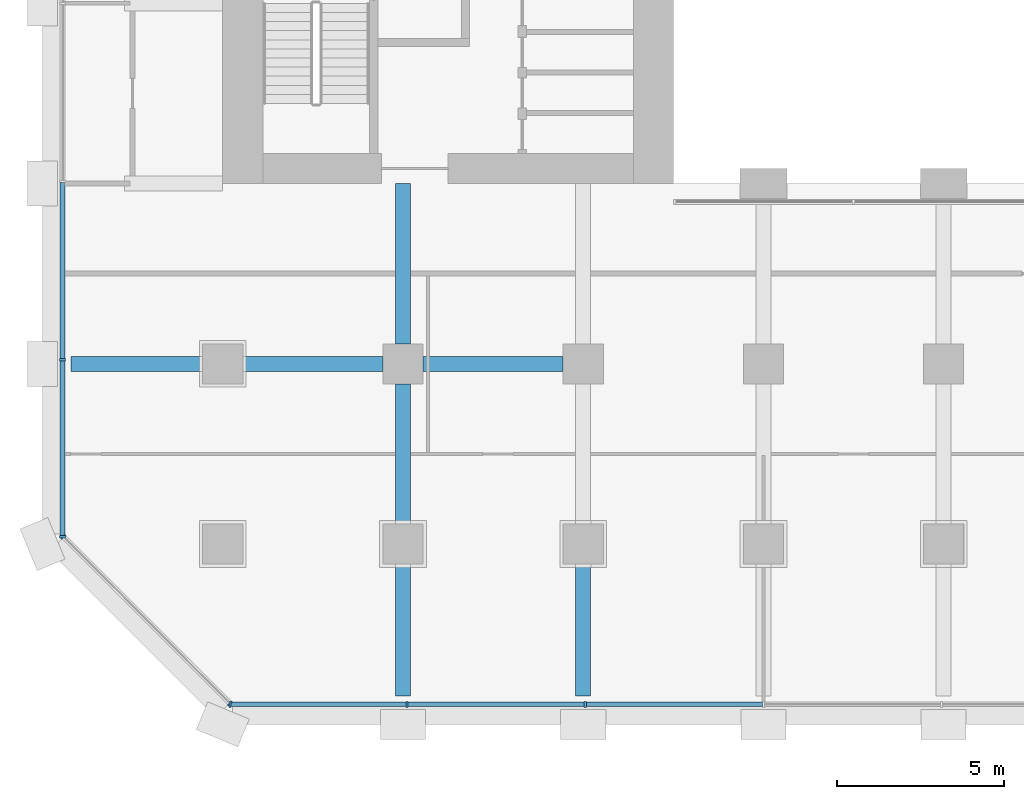
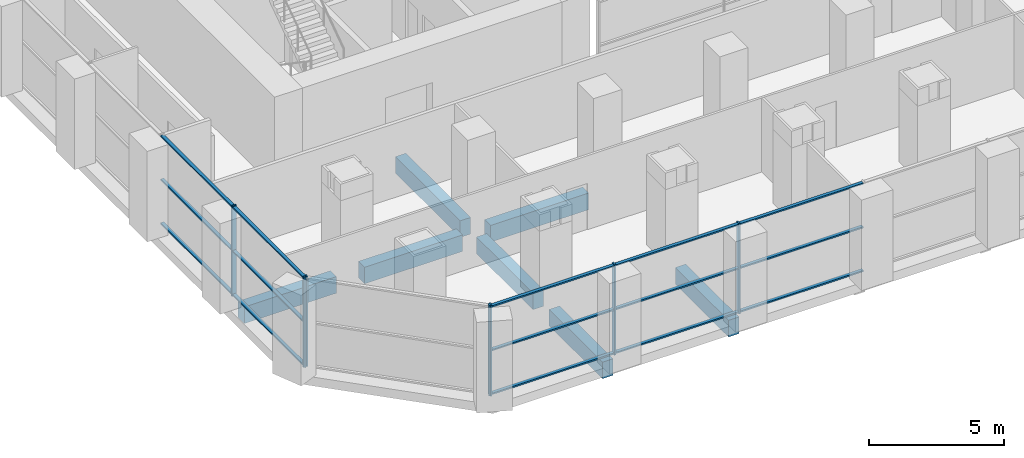
# One storey, part 2 of 23: 22 members, 7 beams, 3 elements without a shape of their own.
"""IFC4 building model written with IfcOpenShell, lengths in metres."""

import ifcopenshell
import ifcopenshell.guid

model = None  # the IFC model being written
_history = None  # IfcOwnerHistory: only IFC2X3 demands one
_inside = {}  # id of a spatial element -> (the spatial element, [elements in it])
_under = {}  # id of a project, library or spatial element -> (it, [spatial elements below it])
_declared = {}  # id of a project -> (the project, [libraries it declares])
_typed = {}  # id of a type object -> (the type object, [elements of that type])
_made_of = {}  # id of a material, layer set ... -> (it, [elements and type objects made of it])


def new_model(schema):
    """Start an empty IFC model of exactly this schema.

    Asked for "IFC4X3", IfcOpenShell would pick the latest addendum, in which some entities
    have other attributes; the version numbers below select the first issue.
    IFC2X3 requires an IfcOwnerHistory on every rooted entity: one is made here for all.
    """
    global model, _history
    if schema == "IFC4X3":
        model = ifcopenshell.file(schema_version=(4, 3, 0, 0))
    else:
        model = ifcopenshell.file(schema=schema)
    _inside.clear()
    _under.clear()
    _declared.clear()
    _typed.clear()
    _made_of.clear()
    _history = None
    if model.schema == "IFC2X3":
        org = make("IfcOrganization", Name="unknown")
        user = make(
            "IfcPersonAndOrganization",
            ThePerson=make("IfcPerson", FamilyName="unknown"),
            TheOrganization=org,
        )
        app = make(
            "IfcApplication",
            ApplicationDeveloper=org,
            Version="unknown",
            ApplicationFullName="unknown",
            ApplicationIdentifier="unknown",
        )
        _history = make(
            "IfcOwnerHistory",
            OwningUser=user,
            OwningApplication=app,
            ChangeAction="ADDED",
            CreationDate=0,
        )
    return model


def make(cls, **values):
    """One entity of the class cls with the attributes given. An attribute that is None is left unset."""
    return model.create_entity(
        cls, **{name: value for name, value in values.items() if value is not None}
    )


def rooted(cls, **values):
    """An entity with a GlobalId (a new one), such as an element, a storey or a relation."""
    return make(cls, GlobalId=ifcopenshell.guid.new(), OwnerHistory=_history, **values)


def si_unit(unit_type, name, prefix=None):
    """IfcSIUnit, for example si_unit("LENGTHUNIT", "METRE", prefix="MILLI")."""
    return make("IfcSIUnit", UnitType=unit_type, Prefix=prefix, Name=name)


def assignment(units):
    """IfcUnitAssignment: the units of a project."""
    return None if units is None else make("IfcUnitAssignment", Units=units)


def point(xyz):
    """IfcCartesianPoint."""
    return None if xyz is None else make("IfcCartesianPoint", Coordinates=xyz)


def direction(xyz):
    """IfcDirection."""
    return None if xyz is None else make("IfcDirection", DirectionRatios=xyz)


def frame(location, z_axis=None, x_axis=None):
    """IfcAxis2Placement3D, a coordinate frame: its origin and axes. An axis left out is left unset."""
    return make(
        "IfcAxis2Placement3D",
        Location=point(location),
        Axis=direction(z_axis),
        RefDirection=direction(x_axis),
    )


def frame_2d(location, x_axis=None):
    """IfcAxis2Placement2D, a coordinate frame in the plane: its origin and x axis."""
    return make(
        "IfcAxis2Placement2D", Location=point(location), RefDirection=direction(x_axis)
    )


def origin():
    """The frame at (0, 0, 0) with its axes left unset."""
    return frame((0.0, 0.0, 0.0))


def origin_2d():
    """The frame at (0, 0) in the plane with its x axis left unset."""
    return frame_2d((0.0, 0.0))


def place(relative_to, where):
    """IfcLocalPlacement: puts the frame where relative to a parent placement (None: the world)."""
    return make(
        "IfcLocalPlacement", PlacementRelTo=relative_to, RelativePlacement=where
    )


def context(
    kind, dimensions, precision=None, world=None, true_north=None, identifier=None
):
    """IfcGeometricRepresentationContext, for example the 3D "Model" context."""
    return make(
        "IfcGeometricRepresentationContext",
        ContextIdentifier=identifier,
        ContextType=kind,
        CoordinateSpaceDimension=dimensions,
        Precision=precision,
        WorldCoordinateSystem=world,
        TrueNorth=true_north,
    )


def subcontext(parent, identifier, kind, view, scale=None):
    """IfcGeometricRepresentationSubContext, for example "Body" below "Model"."""
    return make(
        "IfcGeometricRepresentationSubContext",
        ContextIdentifier=identifier,
        ContextType=kind,
        ParentContext=parent,
        TargetScale=scale,
        TargetView=view,
    )


def project(units=None, contexts=None):
    """IfcProject with its units and contexts."""
    return rooted(
        "IfcProject",
        Name="project",
        RepresentationContexts=contexts,
        UnitsInContext=assignment(units),
    )


def spatial(cls, under=None, at=None, **own):
    """A site, building, storey or space (cls), placed at a placement, below another one or the project."""
    s = rooted(cls, ObjectPlacement=at, **own)
    if under is not None:
        _under.setdefault(under.id(), (under, []))[1].append(s)
    return s


def profile(cls, at=None, kind="AREA", **sizes):
    """A parametric profile (cls). Its sizes go by their IFC names, for example OverallWidth=200.0."""
    return make(cls, ProfileType=kind, Position=at, **sizes)


def rectangle(**sizes):
    """IfcRectangleProfileDef."""
    return profile("IfcRectangleProfileDef", **sizes)


def extrude(swept, where, along, depth):
    """IfcExtrudedAreaSolid: the profile swept, set in the frame where, extruded along a direction by depth."""
    return make(
        "IfcExtrudedAreaSolid",
        SweptArea=swept,
        Position=where,
        ExtrudedDirection=direction(along),
        Depth=depth,
    )


def shape(context_of_items, identifier, shape_type, items):
    """IfcShapeRepresentation: the items that make up one representation, for example the "Body"."""
    return make(
        "IfcShapeRepresentation",
        ContextOfItems=context_of_items,
        RepresentationIdentifier=identifier,
        RepresentationType=shape_type,
        Items=items,
    )


def material(Name=None, Category=None):
    """IfcMaterial."""
    return make("IfcMaterial", Name=Name, Category=Category)


def material_profile(
    of_material, cross_section, Name=None, Category=None, Priority=None
):
    """IfcMaterialProfile: a cross section and its material."""
    return make(
        "IfcMaterialProfile",
        Name=Name,
        Material=of_material,
        Profile=cross_section,
        Priority=Priority,
        Category=Category,
    )


def profile_set(profiles, Name=None, composite=None):
    """IfcMaterialProfileSet."""
    return make(
        "IfcMaterialProfileSet",
        Name=Name,
        MaterialProfiles=profiles,
        CompositeProfile=composite,
    )


def made_of(thing, what):
    """Note that an element or type object is made of a material, layer set ...; save() writes the relation."""
    if what is not None:
        _made_of.setdefault(what.id(), (what, []))[1].append(thing)
    return thing


def type_object(cls, material=None, **own):
    """A type object (cls), such as IfcWallType, which elements share."""
    return made_of(rooted(cls, **own), material)


def element(
    cls,
    number,
    at=None,
    inside=None,
    cuts=None,
    type_object=None,
    material=None,
    context=None,
    identifier="Body",
    shape_type=None,
    held_by="IfcProductDefinitionShape",
    body=None,
    shapes=None,
    **own,
):
    """One element of the class cls, such as IfcWall. Its Tag is "e" and its number.

    at: its placement. inside: the storey or other place that contains it. cuts: it is an
    opening in that element (IfcRelVoidsElement). A single representation is given by context,
    identifier, shape_type and body (its items); several are given by shapes. held_by: the class
    of the entity that holds the representations. save() writes the other relations.
    """
    e = rooted(cls, Tag="e%d" % number, ObjectPlacement=at, **own)
    if body is not None:
        shapes = [shape(context, identifier, shape_type, body)]
    if shapes is not None:
        e.Representation = make(held_by, Representations=shapes)
    if inside is not None:
        _inside.setdefault(inside.id(), (inside, []))[1].append(e)
    if cuts is not None:
        rooted(
            "IfcRelVoidsElement", RelatingBuildingElement=cuts, RelatedOpeningElement=e
        )
    if type_object is not None:
        _typed.setdefault(type_object.id(), (type_object, []))[1].append(e)
    return made_of(e, material)


def aggregate(whole, parts):
    """IfcRelAggregates: a whole, such as a stair, and the parts it consists of."""
    return rooted("IfcRelAggregates", RelatingObject=whole, RelatedObjects=parts)


def save(model, path):
    """Write the relations noted so far, then the file.

    IfcRelAggregates (storeys below a building ...), IfcRelContainedInSpatialStructure (elements
    in a storey), IfcRelDefinesByType, IfcRelAssociatesMaterial and IfcRelDeclares: one each for
    every whole, place, type object, material and project.
    """
    for whole, parts in _under.values():
        aggregate(whole, parts)
    for where, things in _inside.values():
        rooted(
            "IfcRelContainedInSpatialStructure",
            RelatedElements=things,
            RelatingStructure=where,
        )
    for kind, things in _typed.values():
        rooted("IfcRelDefinesByType", RelatedObjects=things, RelatingType=kind)
    for what, things in _made_of.values():
        rooted("IfcRelAssociatesMaterial", RelatedObjects=things, RelatingMaterial=what)
    for by, libraries in _declared.values():
        rooted("IfcRelDeclares", RelatingContext=by, RelatedDefinitions=libraries)
    model.write(path)


model = new_model("IFC4")

# Units and contexts
model_context = context("Model", 3, precision=1e-05, world=origin(), true_north=direction((0.0, 1.0)))
body_context = subcontext(model_context, "Body", "Model", "MODEL_VIEW")
ifc_project = project(units=[si_unit("LENGTHUNIT", "METRE"), si_unit("AREAUNIT", "SQUARE_METRE"), si_unit("VOLUMEUNIT", "CUBIC_METRE"), si_unit("PLANEANGLEUNIT", "RADIAN"), si_unit("MASSUNIT", "GRAM", prefix="KILO")], contexts=[model_context])

# Site, building, storey
site_placement = place(None, origin())
site = spatial("IfcSite", under=ifc_project, at=site_placement, CompositionType="ELEMENT")
building_placement = place(site_placement, origin())
building = spatial("IfcBuilding", under=site, at=building_placement, Name="Tabaq Tower and Sports Hall", CompositionType="ELEMENT")
storey_placement = place(building_placement, frame((0.0, 0.0, 24.60009765625)))
storey = spatial("IfcBuildingStorey", under=building, at=storey_placement, Name="L04", CompositionType="ELEMENT", Elevation=24.60009765625)

# Curtain wall, members
ifc_material_1 = material(Name="Aluminium alloy 6063-T6 framed glazing", Category="aluminium")
curtain_wall_type = type_object("IfcCurtainWallType", Name="CW7 curtain wall", PredefinedType="USERDEFINED", material=ifc_material_1)
curtain_wall_1_placement = place(storey_placement, origin())
curtain_wall_1 = element("IfcCurtainWall", 1, at=curtain_wall_1_placement, inside=storey, type_object=curtain_wall_type, Name="Podium Wall L04 S", ObjectType="PODIUM WALL", PredefinedType="USERDEFINED")
ifc_material_2 = material(Name="Aluminium alloy 6063-T6", Category="aluminium")
ifc_material_profile_1 = material_profile(ifc_material_2, rectangle(XDim=0.179931640625, YDim=0.06494140625, at=origin_2d()), Name="MULLION 180x65")
ifc_profile_set_1 = profile_set([ifc_material_profile_1], Name="Aluminium alloy 6063-T6")
member_type_1 = type_object("IfcMemberType", Name="CW7 mullion 180x65", PredefinedType="MULLION", material=ifc_profile_set_1)
member_1_placement = place(storey_placement, frame((5.618896484375, 0.60009765625, 0.0), z_axis=(0.0, 0.0, 1.0), x_axis=(0.0, 1.0, 0.0)))
member_1 = element("IfcMember", 2, at=member_1_placement, type_object=member_type_1, Name="CW7 mullion 1", PredefinedType="MULLION", context=body_context, shape_type="SweptSolid", body=[
    extrude(rectangle(XDim=0.179931640625, YDim=0.06494140625, at=origin_2d()), origin(), (0.0, 0.0, 1.0), 4.099853515625),
])
member_2_placement = place(storey_placement, frame((10.92431640625, 0.60009765625, 0.0), z_axis=(0.0, 0.0, 1.0), x_axis=(0.0, 1.0, 0.0)))
member_2 = element("IfcMember", 3, at=member_2_placement, type_object=member_type_1, Name="CW7 mullion 2", PredefinedType="MULLION", context=body_context, shape_type="SweptSolid", body=[
    extrude(rectangle(XDim=0.179931640625, YDim=0.06494140625, at=origin_2d()), origin(), (0.0, 0.0, 1.0), 4.099853515625),
])
member_3_placement = place(storey_placement, frame((16.26220703125, 0.60009765625, 0.0), z_axis=(0.0, 0.0, 1.0), x_axis=(0.0, 1.0, 0.0)))
member_3 = element("IfcMember", 4, at=member_3_placement, type_object=member_type_1, Name="CW7 mullion 3", PredefinedType="MULLION", context=body_context, shape_type="SweptSolid", body=[
    extrude(rectangle(XDim=0.179931640625, YDim=0.06494140625, at=origin_2d()), origin(), (0.0, 0.0, 1.0), 4.099853515625),
])

curtain_wall_2_placement = place(storey_placement, origin())
curtain_wall_2 = element("IfcCurtainWall", 5, at=curtain_wall_2_placement, inside=storey, type_object=curtain_wall_type, Name="Podium Wall L04 W", ObjectType="PODIUM WALL", PredefinedType="USERDEFINED")
member_4_placement = place(storey_placement, frame((0.60009765625, 10.92431640625, 0.0), z_axis=(0.0, 0.0, 1.0), x_axis=(1.0, 0.0, 0.0)))
member_4 = element("IfcMember", 6, at=member_4_placement, type_object=member_type_1, Name="CW7 mullion 6", PredefinedType="MULLION", context=body_context, shape_type="SweptSolid", body=[
    extrude(rectangle(XDim=0.179931640625, YDim=0.06494140625, at=origin_2d()), origin(), (0.0, 0.0, 1.0), 4.099853515625),
])
member_5_placement = place(storey_placement, frame((0.60009765625, 5.618896484375, 0.0), z_axis=(0.0, 0.0, 1.0), x_axis=(1.0, 0.0, 0.0)))
member_5 = element("IfcMember", 7, at=member_5_placement, type_object=member_type_1, Name="CW7 mullion 7", PredefinedType="MULLION", context=body_context, shape_type="SweptSolid", body=[
    extrude(rectangle(XDim=0.179931640625, YDim=0.06494140625, at=origin_2d()), origin(), (0.0, 0.0, 1.0), 4.099853515625),
])

curtain_wall_3_placement = place(storey_placement, origin())
curtain_wall_3 = element("IfcCurtainWall", 8, at=curtain_wall_3_placement, inside=storey, type_object=curtain_wall_type, Name="Podium Wall L04 SW", ObjectType="PODIUM WALL", PredefinedType="USERDEFINED")
member_6_placement = place(storey_placement, frame((0.623046875, 5.62548828125, 0.0), z_axis=(0.0, 0.0, 1.0), x_axis=(0.707106781187, 0.707106781187, 0.0)))
member_6 = element("IfcMember", 9, at=member_6_placement, type_object=member_type_1, Name="CW7 mullion 1", PredefinedType="MULLION", context=body_context, shape_type="SweptSolid", body=[
    extrude(rectangle(XDim=0.179931640625, YDim=0.06494140625, at=origin_2d()), origin(), (0.0, 0.0, 1.0), 4.099853515625),
])
member_7_placement = place(storey_placement, frame((5.62548828125, 0.623046875, 0.0), z_axis=(0.0, 0.0, 1.0), x_axis=(0.707106781187, 0.707106781187, 0.0)))
member_7 = element("IfcMember", 10, at=member_7_placement, type_object=member_type_1, Name="CW7 mullion 2", PredefinedType="MULLION", context=body_context, shape_type="SweptSolid", body=[
    extrude(rectangle(XDim=0.179931640625, YDim=0.06494140625, at=origin_2d()), origin(), (0.0, 0.0, 1.0), 4.099853515625),
])
aggregate(curtain_wall_3, [member_6, member_7])

# Member
ifc_material_3 = material(Name="Aluminium alloy 6063-T6", Category="aluminium")
ifc_material_profile_2 = material_profile(ifc_material_3, rectangle(XDim=0.139892578125, YDim=0.06494140625, at=origin_2d()), Name="TRANSOM 140x65")
ifc_profile_set_2 = profile_set([ifc_material_profile_2], Name="Aluminium alloy 6063-T6")
member_type_2 = type_object("IfcMemberType", Name="CW7 transom 140x65", PredefinedType="USERDEFINED", material=ifc_profile_set_2)
member_8_placement = place(storey_placement, frame((5.6513671875, 0.60009765625, 0.06982421875), z_axis=(1.0, 0.0, 0.0), x_axis=(0.0, 1.0, 0.0)))
member_8 = element("IfcMember", 11, at=member_8_placement, type_object=member_type_2, Name="CW7 transom 1.1", ObjectType="TRANSOM", PredefinedType="USERDEFINED", context=body_context, shape_type="SweptSolid", body=[
    extrude(rectangle(XDim=0.139892578125, YDim=0.06494140625, at=origin_2d()), origin(), (0.0, 0.0, 1.0), 5.240478515625),
])

member_9_placement = place(storey_placement, frame((5.6513671875, 0.60009765625, 2.0498046875), z_axis=(1.0, 0.0, 0.0), x_axis=(0.0, 1.0, 0.0)))
member_9 = element("IfcMember", 12, at=member_9_placement, type_object=member_type_2, Name="CW7 transom 1.2", ObjectType="TRANSOM", PredefinedType="USERDEFINED", context=body_context, shape_type="SweptSolid", body=[
    extrude(rectangle(XDim=0.139892578125, YDim=0.06494140625, at=origin_2d()), origin(), (0.0, 0.0, 1.0), 5.240478515625),
])

member_10_placement = place(storey_placement, frame((5.6513671875, 0.60009765625, 4.02978515625), z_axis=(1.0, 0.0, 0.0), x_axis=(0.0, 1.0, 0.0)))
member_10 = element("IfcMember", 13, at=member_10_placement, type_object=member_type_2, Name="CW7 transom 1.3", ObjectType="TRANSOM", PredefinedType="USERDEFINED", context=body_context, shape_type="SweptSolid", body=[
    extrude(rectangle(XDim=0.139892578125, YDim=0.06494140625, at=origin_2d()), origin(), (0.0, 0.0, 1.0), 5.240478515625),
])

member_11_placement = place(storey_placement, frame((10.956787109375, 0.60009765625, 0.06982421875), z_axis=(1.0, 0.0, 0.0), x_axis=(0.0, 1.0, 0.0)))
member_11 = element("IfcMember", 14, at=member_11_placement, type_object=member_type_2, Name="CW7 transom 2.1", ObjectType="TRANSOM", PredefinedType="USERDEFINED", context=body_context, shape_type="SweptSolid", body=[
    extrude(rectangle(XDim=0.139892578125, YDim=0.06494140625, at=origin_2d()), origin(), (0.0, 0.0, 1.0), 5.27294921875),
])

member_12_placement = place(storey_placement, frame((10.956787109375, 0.60009765625, 2.0498046875), z_axis=(1.0, 0.0, 0.0), x_axis=(0.0, 1.0, 0.0)))
member_12 = element("IfcMember", 15, at=member_12_placement, type_object=member_type_2, Name="CW7 transom 2.2", ObjectType="TRANSOM", PredefinedType="USERDEFINED", context=body_context, shape_type="SweptSolid", body=[
    extrude(rectangle(XDim=0.139892578125, YDim=0.06494140625, at=origin_2d()), origin(), (0.0, 0.0, 1.0), 5.27294921875),
])

member_13_placement = place(storey_placement, frame((10.956787109375, 0.60009765625, 4.02978515625), z_axis=(1.0, 0.0, 0.0), x_axis=(0.0, 1.0, 0.0)))
member_13 = element("IfcMember", 16, at=member_13_placement, type_object=member_type_2, Name="CW7 transom 2.3", ObjectType="TRANSOM", PredefinedType="USERDEFINED", context=body_context, shape_type="SweptSolid", body=[
    extrude(rectangle(XDim=0.139892578125, YDim=0.06494140625, at=origin_2d()), origin(), (0.0, 0.0, 1.0), 5.27294921875),
])

member_14_placement = place(storey_placement, frame((16.294677734375, 0.60009765625, 0.06982421875), z_axis=(1.0, 0.0, 0.0), x_axis=(0.0, 1.0, 0.0)))
member_14 = element("IfcMember", 17, at=member_14_placement, type_object=member_type_2, Name="CW7 transom 3.1", ObjectType="TRANSOM", PredefinedType="USERDEFINED", context=body_context, shape_type="SweptSolid", body=[
    extrude(rectangle(XDim=0.139892578125, YDim=0.06494140625, at=origin_2d()), origin(), (0.0, 0.0, 1.0), 5.272705078125),
])

member_15_placement = place(storey_placement, frame((16.294677734375, 0.60009765625, 2.0498046875), z_axis=(1.0, 0.0, 0.0), x_axis=(0.0, 1.0, 0.0)))
member_15 = element("IfcMember", 18, at=member_15_placement, type_object=member_type_2, Name="CW7 transom 3.2", ObjectType="TRANSOM", PredefinedType="USERDEFINED", context=body_context, shape_type="SweptSolid", body=[
    extrude(rectangle(XDim=0.139892578125, YDim=0.06494140625, at=origin_2d()), origin(), (0.0, 0.0, 1.0), 5.272705078125),
])

member_16_placement = place(storey_placement, frame((16.294677734375, 0.60009765625, 4.02978515625), z_axis=(1.0, 0.0, 0.0), x_axis=(0.0, 1.0, 0.0)))
member_16 = element("IfcMember", 19, at=member_16_placement, type_object=member_type_2, Name="CW7 transom 3.3", ObjectType="TRANSOM", PredefinedType="USERDEFINED", context=body_context, shape_type="SweptSolid", body=[
    extrude(rectangle(XDim=0.139892578125, YDim=0.06494140625, at=origin_2d()), origin(), (0.0, 0.0, 1.0), 5.272705078125),
])

aggregate(curtain_wall_1, [member_1, member_2, member_3, member_8, member_9, member_10, member_11, member_12, member_13, member_14, member_15, member_16])

member_17_placement = place(storey_placement, frame((0.60009765625, 16.229736328125, 0.06982421875), z_axis=(0.0, -1.0, 0.0), x_axis=(1.0, 0.0, 0.0)))
member_17 = element("IfcMember", 20, at=member_17_placement, type_object=member_type_2, Name="CW7 transom 5.1", ObjectType="TRANSOM", PredefinedType="USERDEFINED", context=body_context, shape_type="SweptSolid", body=[
    extrude(rectangle(XDim=0.139892578125, YDim=0.06494140625, at=origin_2d()), origin(), (0.0, 0.0, 1.0), 5.27294921875),
])

member_18_placement = place(storey_placement, frame((0.60009765625, 16.229736328125, 2.0498046875), z_axis=(0.0, -1.0, 0.0), x_axis=(1.0, 0.0, 0.0)))
member_18 = element("IfcMember", 21, at=member_18_placement, type_object=member_type_2, Name="CW7 transom 5.2", ObjectType="TRANSOM", PredefinedType="USERDEFINED", context=body_context, shape_type="SweptSolid", body=[
    extrude(rectangle(XDim=0.139892578125, YDim=0.06494140625, at=origin_2d()), origin(), (0.0, 0.0, 1.0), 5.27294921875),
])

member_19_placement = place(storey_placement, frame((0.60009765625, 16.229736328125, 4.02978515625), z_axis=(0.0, -1.0, 0.0), x_axis=(1.0, 0.0, 0.0)))
member_19 = element("IfcMember", 22, at=member_19_placement, type_object=member_type_2, Name="CW7 transom 5.3", ObjectType="TRANSOM", PredefinedType="USERDEFINED", context=body_context, shape_type="SweptSolid", body=[
    extrude(rectangle(XDim=0.139892578125, YDim=0.06494140625, at=origin_2d()), origin(), (0.0, 0.0, 1.0), 5.27294921875),
])

member_20_placement = place(storey_placement, frame((0.60009765625, 10.891845703125, 0.06982421875), z_axis=(0.0, -1.0, 0.0), x_axis=(1.0, 0.0, 0.0)))
member_20 = element("IfcMember", 23, at=member_20_placement, type_object=member_type_2, Name="CW7 transom 6.1", ObjectType="TRANSOM", PredefinedType="USERDEFINED", context=body_context, shape_type="SweptSolid", body=[
    extrude(rectangle(XDim=0.139892578125, YDim=0.06494140625, at=origin_2d()), origin(), (0.0, 0.0, 1.0), 5.240478515625),
])

member_21_placement = place(storey_placement, frame((0.60009765625, 10.891845703125, 2.0498046875), z_axis=(0.0, -1.0, 0.0), x_axis=(1.0, 0.0, 0.0)))
member_21 = element("IfcMember", 24, at=member_21_placement, type_object=member_type_2, Name="CW7 transom 6.2", ObjectType="TRANSOM", PredefinedType="USERDEFINED", context=body_context, shape_type="SweptSolid", body=[
    extrude(rectangle(XDim=0.139892578125, YDim=0.06494140625, at=origin_2d()), origin(), (0.0, 0.0, 1.0), 5.240478515625),
])

member_22_placement = place(storey_placement, frame((0.60009765625, 10.891845703125, 4.02978515625), z_axis=(0.0, -1.0, 0.0), x_axis=(1.0, 0.0, 0.0)))
member_22 = element("IfcMember", 25, at=member_22_placement, type_object=member_type_2, Name="CW7 transom 6.3", ObjectType="TRANSOM", PredefinedType="USERDEFINED", context=body_context, shape_type="SweptSolid", body=[
    extrude(rectangle(XDim=0.139892578125, YDim=0.06494140625, at=origin_2d()), origin(), (0.0, 0.0, 1.0), 5.240478515625),
])

aggregate(curtain_wall_2, [member_4, member_5, member_17, member_18, member_19, member_20, member_21, member_22])

# Beams
ifc_material_4 = material(Name="Concrete C40/50", Category="concrete")
ifc_material_profile_3 = material_profile(ifc_material_4, rectangle(XDim=0.449951171875, YDim=0.75, at=origin_2d()), Name="CB 450x750")
ifc_profile_set_3 = profile_set([ifc_material_profile_3], Name="Concrete C40/50")
beam_type = type_object("IfcBeamType", Name="PT CANTILEVER BEAM CB 450x750 C40/50", PredefinedType="BEAM", material=ifc_profile_set_3)
beam_1_placement = place(storey_placement, frame((0.85009765625, 10.800048828125, -0.775146484375), z_axis=(1.0, 0.0, 0.0), x_axis=(0.0, 1.0, 0.0)))
element("IfcBeam", 26, at=beam_1_placement, inside=storey, type_object=beam_type, Name="Cantilever Beam L04 W2 span 1", PredefinedType="BEAM", context=body_context, shape_type="SweptSolid", body=[
    extrude(rectangle(XDim=0.449951171875, YDim=0.75, at=origin_2d()), origin(), (0.0, 0.0, 1.0), 3.949951171875),
])
beam_2_placement = place(storey_placement, frame((6.0, 10.800048828125, -0.775146484375), z_axis=(1.0, 0.0, 0.0), x_axis=(0.0, 1.0, 0.0)))
element("IfcBeam", 27, at=beam_2_placement, inside=storey, type_object=beam_type, Name="Cantilever Beam L04 W2 span 2", PredefinedType="BEAM", context=body_context, shape_type="SweptSolid", body=[
    extrude(rectangle(XDim=0.449951171875, YDim=0.75, at=origin_2d()), origin(), (0.0, 0.0, 1.0), 4.199951171875),
])
beam_3_placement = place(storey_placement, frame((11.39990234375, 10.800048828125, -0.775146484375), z_axis=(1.0, 0.0, 0.0), x_axis=(0.0, 1.0, 0.0)))
element("IfcBeam", 28, at=beam_3_placement, inside=storey, type_object=beam_type, Name="Cantilever Beam L04 W2 span 3", PredefinedType="BEAM", context=body_context, shape_type="SweptSolid", body=[
    extrude(rectangle(XDim=0.449951171875, YDim=0.75, at=origin_2d()), origin(), (0.0, 0.0, 1.0), 4.2001953125),
])
beam_4_placement = place(storey_placement, frame((10.800048828125, 0.85009765625, -0.775146484375), z_axis=(0.0, 1.0, 0.0), x_axis=(-1.0, 0.0, 0.0)))
element("IfcBeam", 29, at=beam_4_placement, inside=storey, type_object=beam_type, Name="Cantilever Beam L04 S2 span 1", PredefinedType="BEAM", context=body_context, shape_type="SweptSolid", body=[
    extrude(rectangle(XDim=0.449951171875, YDim=0.75, at=origin_2d()), origin(), (0.0, 0.0, 1.0), 3.949951171875),
])
beam_5_placement = place(storey_placement, frame((10.800048828125, 6.0, -0.775146484375), z_axis=(0.0, 1.0, 0.0), x_axis=(-1.0, 0.0, 0.0)))
element("IfcBeam", 30, at=beam_5_placement, inside=storey, type_object=beam_type, Name="Cantilever Beam L04 S2 span 2", PredefinedType="BEAM", context=body_context, shape_type="SweptSolid", body=[
    extrude(rectangle(XDim=0.449951171875, YDim=0.75, at=origin_2d()), origin(), (0.0, 0.0, 1.0), 4.199951171875),
])
beam_6_placement = place(storey_placement, frame((10.800048828125, 11.39990234375, -0.775146484375), z_axis=(0.0, 1.0, 0.0), x_axis=(-1.0, 0.0, 0.0)))
element("IfcBeam", 31, at=beam_6_placement, inside=storey, type_object=beam_type, Name="Cantilever Beam L04 S2 span 3", PredefinedType="BEAM", context=body_context, shape_type="SweptSolid", body=[
    extrude(rectangle(XDim=0.449951171875, YDim=0.75, at=origin_2d()), origin(), (0.0, 0.0, 1.0), 4.800048828125),
])
beam_7_placement = place(storey_placement, frame((16.199951171875, 0.85009765625, -0.775146484375), z_axis=(0.0, 1.0, 0.0), x_axis=(-1.0, 0.0, 0.0)))
element("IfcBeam", 32, at=beam_7_placement, inside=storey, type_object=beam_type, Name="Cantilever Beam L04 S3 span 1", PredefinedType="BEAM", context=body_context, shape_type="SweptSolid", body=[
    extrude(rectangle(XDim=0.449951171875, YDim=0.75, at=origin_2d()), origin(), (0.0, 0.0, 1.0), 3.949951171875),
])

save(model, "model.ifc")
